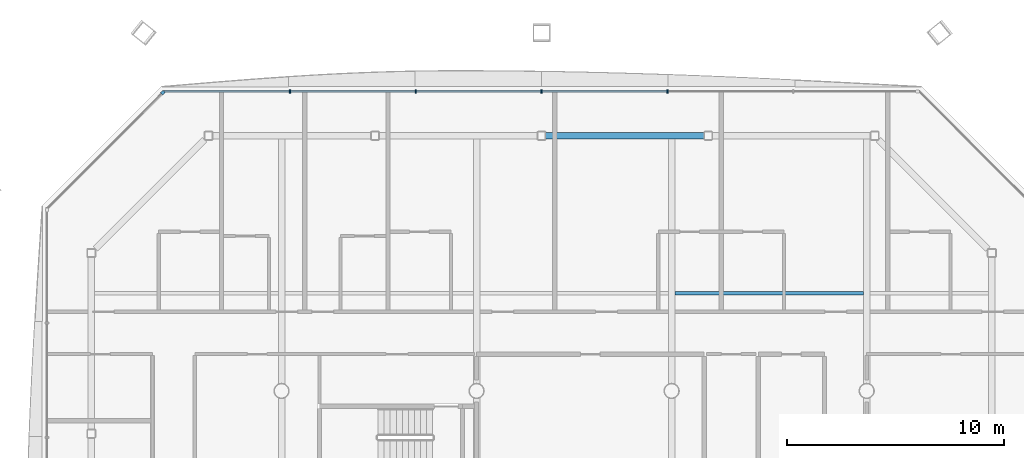
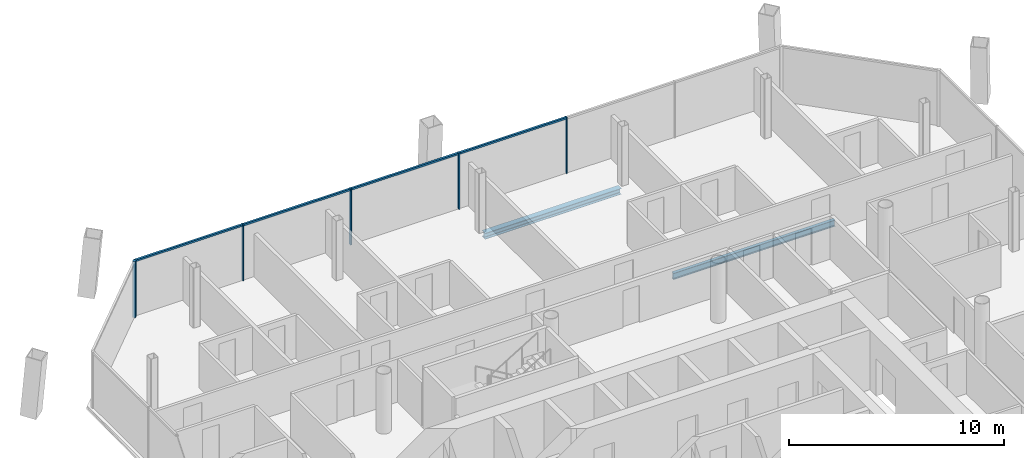
# One storey, part 9 of 21: 9 members, 2 beams, 2 elements without a shape of their own.
"""IFC4 building model written with IfcOpenShell, lengths in metres."""

from ifc_helpers import new_model, si_unit, direction, frame, origin, origin_2d, place, context, subcontext, project, spatial, rectangle, i_section, extrude, material, material_profile, profile_set, type_object, element, aggregate, save


model = new_model("IFC4")

# Units and contexts
model_context = context("Model", 3, precision=1e-05, world=origin(), true_north=direction((0.0, 1.0)))
body_context = subcontext(model_context, "Body", "Model", "MODEL_VIEW")
ifc_project = project(units=[si_unit("LENGTHUNIT", "METRE"), si_unit("AREAUNIT", "SQUARE_METRE"), si_unit("VOLUMEUNIT", "CUBIC_METRE"), si_unit("PLANEANGLEUNIT", "RADIAN"), si_unit("MASSUNIT", "GRAM", prefix="KILO")], contexts=[model_context])

# Site, building, storey
site_placement = place(None, origin())
site = spatial("IfcSite", under=ifc_project, at=site_placement, CompositionType="ELEMENT")
building_placement = place(site_placement, origin())
building = spatial("IfcBuilding", under=site, at=building_placement, Name="Tskaro Facet Tower", CompositionType="ELEMENT")
storey_placement = place(building_placement, frame((0.0, 0.0, 138.5)))
storey = spatial("IfcBuildingStorey", under=building, at=storey_placement, Name="L33", CompositionType="ELEMENT", Elevation=138.5)

# Curtain wall, member
ifc_material_1 = material(Name="Bronze anodised aluminium 6063-T6", Category="aluminium")
curtain_wall_type = type_object("IfcCurtainWallType", Name="Bronze hotel curtain wall (FW2)", PredefinedType="NOTDEFINED", material=ifc_material_1)
curtain_wall_1_placement = place(storey_placement, origin())
curtain_wall_1 = element("IfcCurtainWall", 1, at=curtain_wall_1_placement, inside=storey, type_object=curtain_wall_type, Name="FW2 north-west facet L33", PredefinedType="NOTDEFINED")
ifc_material_profile_1 = material_profile(ifc_material_1, rectangle(XDim=0.14990234375, YDim=0.14990234375, at=origin_2d()), Name="Corner post 150x150")
ifc_profile_set_1 = profile_set([ifc_material_profile_1], Name="Bronze anodised aluminium 6063-T6")
member_type_1 = type_object("IfcMemberType", Name="FW2 bronze corner post 150x150", PredefinedType="MULLION", material=ifc_profile_set_1)
member_1_placement = place(storey_placement, frame((-14.47509765625, 22.766845703125, 0.0), z_axis=(0.0, 0.0, 1.0), x_axis=(-0.707106781187, -0.707106781187, 0.0)))
member_1 = element("IfcMember", 2, at=member_1_placement, type_object=member_type_1, Name="FW2 north-west corner post", PredefinedType="MULLION", context=body_context, shape_type="SweptSolid", body=[
    extrude(rectangle(XDim=0.14990234375, YDim=0.14990234375, at=origin_2d()), origin(), (0.0, 0.0, 1.0), 3.199951171875),
])
aggregate(curtain_wall_1, [member_1])

# Curtain wall, members
curtain_wall_2_placement = place(storey_placement, origin())
curtain_wall_2 = element("IfcCurtainWall", 3, at=curtain_wall_2_placement, inside=storey, type_object=curtain_wall_type, Name="FW2 north facet L33", PredefinedType="NOTDEFINED")
ifc_material_profile_2 = material_profile(ifc_material_1, rectangle(XDim=0.06005859375, YDim=0.14990234375, at=origin_2d()), Name="Mullion 60x150")
ifc_profile_set_2 = profile_set([ifc_material_profile_2], Name="Bronze anodised aluminium 6063-T6")
member_type_2 = type_object("IfcMemberType", Name="FW2 bronze mullion 60x150", PredefinedType="MULLION", material=ifc_profile_set_2)
member_2_placement = place(storey_placement, frame((8.807373046875, 22.820068359375, 0.0), z_axis=(0.0, 0.0, 1.0), x_axis=(-1.0, 0.0, 0.0)))
member_2 = element("IfcMember", 4, at=member_2_placement, type_object=member_type_2, Name="FW2 north mullion 2", PredefinedType="MULLION", context=body_context, shape_type="SweptSolid", body=[
    extrude(rectangle(XDim=0.06005859375, YDim=0.14990234375, at=origin_2d()), origin(), (0.0, 0.0, 1.0), 3.199951171875),
])
member_3_placement = place(storey_placement, frame((3.0, 22.820068359375, 0.0), z_axis=(0.0, 0.0, 1.0), x_axis=(-1.0, 0.0, 0.0)))
member_3 = element("IfcMember", 5, at=member_3_placement, type_object=member_type_2, Name="FW2 north mullion 3", PredefinedType="MULLION", context=body_context, shape_type="SweptSolid", body=[
    extrude(rectangle(XDim=0.06005859375, YDim=0.14990234375, at=origin_2d()), origin(), (0.0, 0.0, 1.0), 3.199951171875),
])
member_4_placement = place(storey_placement, frame((-2.807373046875, 22.820068359375, 0.0), z_axis=(0.0, 0.0, 1.0), x_axis=(-1.0, 0.0, 0.0)))
member_4 = element("IfcMember", 6, at=member_4_placement, type_object=member_type_2, Name="FW2 north mullion 4", PredefinedType="MULLION", context=body_context, shape_type="SweptSolid", body=[
    extrude(rectangle(XDim=0.06005859375, YDim=0.14990234375, at=origin_2d()), origin(), (0.0, 0.0, 1.0), 3.199951171875),
])
member_5_placement = place(storey_placement, frame((-8.61474609375, 22.820068359375, 0.0), z_axis=(0.0, 0.0, 1.0), x_axis=(-1.0, 0.0, 0.0)))
member_5 = element("IfcMember", 7, at=member_5_placement, type_object=member_type_2, Name="FW2 north mullion 5", PredefinedType="MULLION", context=body_context, shape_type="SweptSolid", body=[
    extrude(rectangle(XDim=0.06005859375, YDim=0.14990234375, at=origin_2d()), origin(), (0.0, 0.0, 1.0), 3.199951171875),
])
ifc_material_profile_3 = material_profile(ifc_material_1, rectangle(XDim=0.110107421875, YDim=0.10009765625, at=origin_2d()), Name="Transom 110x100")
ifc_profile_set_3 = profile_set([ifc_material_profile_3], Name="Bronze anodised aluminium 6063-T6")
member_type_3 = type_object("IfcMemberType", Name="FW2 bronze transom 110x100", PredefinedType="USERDEFINED", material=ifc_profile_set_3)
member_6_placement = place(storey_placement, frame((8.77734375, 22.820068359375, 3.14990234375), z_axis=(-1.0, 0.0, 0.0), x_axis=(0.0, -1.0, 0.0)))
member_6 = element("IfcMember", 8, at=member_6_placement, type_object=member_type_3, Name="FW2 north transom 3.1", ObjectType="TRANSOM", PredefinedType="USERDEFINED", context=body_context, shape_type="SweptSolid", body=[
    extrude(rectangle(XDim=0.110107421875, YDim=0.10009765625, at=origin_2d()), origin(), (0.0, 0.0, 1.0), 5.747314453125),
])
member_7_placement = place(storey_placement, frame((2.969970703125, 22.820068359375, 3.14990234375), z_axis=(-1.0, 0.0, 0.0), x_axis=(0.0, -1.0, 0.0)))
member_7 = element("IfcMember", 9, at=member_7_placement, type_object=member_type_3, Name="FW2 north transom 4.1", ObjectType="TRANSOM", PredefinedType="USERDEFINED", context=body_context, shape_type="SweptSolid", body=[
    extrude(rectangle(XDim=0.110107421875, YDim=0.10009765625, at=origin_2d()), origin(), (0.0, 0.0, 1.0), 5.747314453125),
])
member_8_placement = place(storey_placement, frame((-2.83740234375, 22.820068359375, 3.14990234375), z_axis=(-1.0, 0.0, 0.0), x_axis=(0.0, -1.0, 0.0)))
member_8 = element("IfcMember", 10, at=member_8_placement, type_object=member_type_3, Name="FW2 north transom 5.1", ObjectType="TRANSOM", PredefinedType="USERDEFINED", context=body_context, shape_type="SweptSolid", body=[
    extrude(rectangle(XDim=0.110107421875, YDim=0.10009765625, at=origin_2d()), origin(), (0.0, 0.0, 1.0), 5.747314453125),
])
member_9_placement = place(storey_placement, frame((-8.644775390625, 22.820068359375, 3.14990234375), z_axis=(-1.0, 0.0, 0.0), x_axis=(0.0, -1.0, 0.0)))
member_9 = element("IfcMember", 11, at=member_9_placement, type_object=member_type_3, Name="FW2 north transom 6.1", ObjectType="TRANSOM", PredefinedType="USERDEFINED", context=body_context, shape_type="SweptSolid", body=[
    extrude(rectangle(XDim=0.110107421875, YDim=0.10009765625, at=origin_2d()), origin(), (0.0, 0.0, 1.0), 5.77734375),
])
aggregate(curtain_wall_2, [member_2, member_3, member_4, member_5, member_6, member_7, member_8, member_9])

# Beams
ifc_material_2 = material(Name="Steel S355J2", Category="steel")
ifc_material_profile_4 = material_profile(ifc_material_2, i_section(OverallWidth=0.300048828125, OverallDepth=0.340087890625, WebThickness=0.011962890625, FlangeThickness=0.021484375, FilletRadius=0.027099609375, at=origin_2d()), Name="HE 340 B")
ifc_profile_set_4 = profile_set([ifc_material_profile_4], Name="Steel S355J2")
beam_type_1 = type_object("IfcBeamType", Name="HE 340 B ring beam", PredefinedType="BEAM", material=ifc_profile_set_4)
beam_1_placement = place(storey_placement, frame((10.50390625, 20.77392578125, -0.31005859375), z_axis=(-1.0, 0.0, 0.0), x_axis=(0.0, -1.0, 0.0)))
element("IfcBeam", 12, at=beam_1_placement, inside=storey, type_object=beam_type_1, Name="HE 340 B EB12-3", PredefinedType="BEAM", context=body_context, shape_type="SweptSolid", body=[
    extrude(i_section(OverallWidth=0.300048828125, OverallDepth=0.340087890625, WebThickness=0.011962890625, FlangeThickness=0.021484375, FilletRadius=0.027099609375, at=origin_2d()), origin(), (0.0, 0.0, 1.0), 7.323974609375),
])
ifc_material_profile_5 = material_profile(ifc_material_2, i_section(OverallWidth=0.169921875, OverallDepth=0.360107421875, WebThickness=0.008056640625, FlangeThickness=0.0126953125, FilletRadius=0.01806640625, at=origin_2d()), Name="IPE 360")
ifc_profile_set_5 = profile_set([ifc_material_profile_5], Name="Steel S355J2")
beam_type_2 = type_object("IfcBeamType", Name="IPE 360 secondary beam", PredefinedType="BEAM", material=ifc_profile_set_5)
beam_2_placement = place(storey_placement, frame((9.14990234375, 13.5, -0.320068359375), z_axis=(1.0, 0.0, 0.0), x_axis=(0.0, 1.0, 0.0)))
element("IfcBeam", 13, at=beam_2_placement, inside=storey, type_object=beam_type_2, Name="IPE 360 SB5a-4-3", PredefinedType="BEAM", context=body_context, shape_type="SweptSolid", body=[
    extrude(i_section(OverallWidth=0.169921875, OverallDepth=0.360107421875, WebThickness=0.008056640625, FlangeThickness=0.0126953125, FilletRadius=0.01806640625, at=origin_2d()), origin(), (0.0, 0.0, 1.0), 8.7001953125),
])

save(model, "model.ifc")
